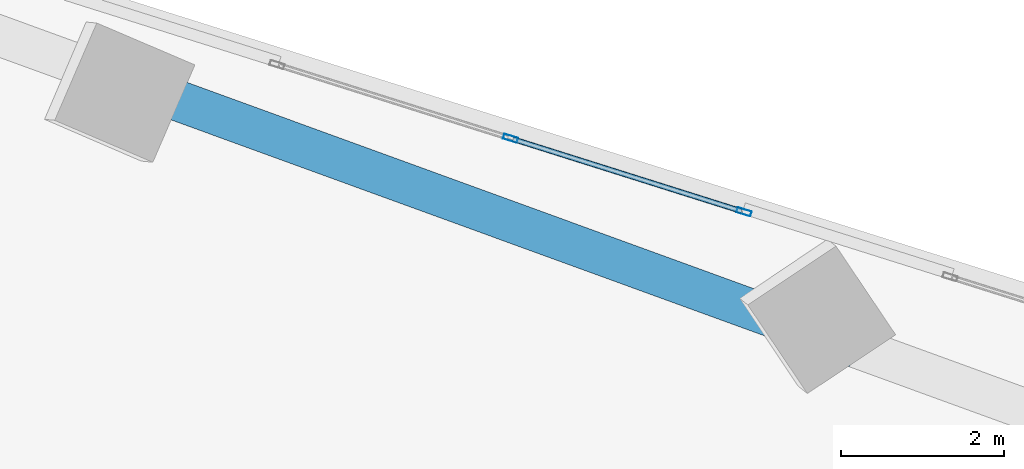
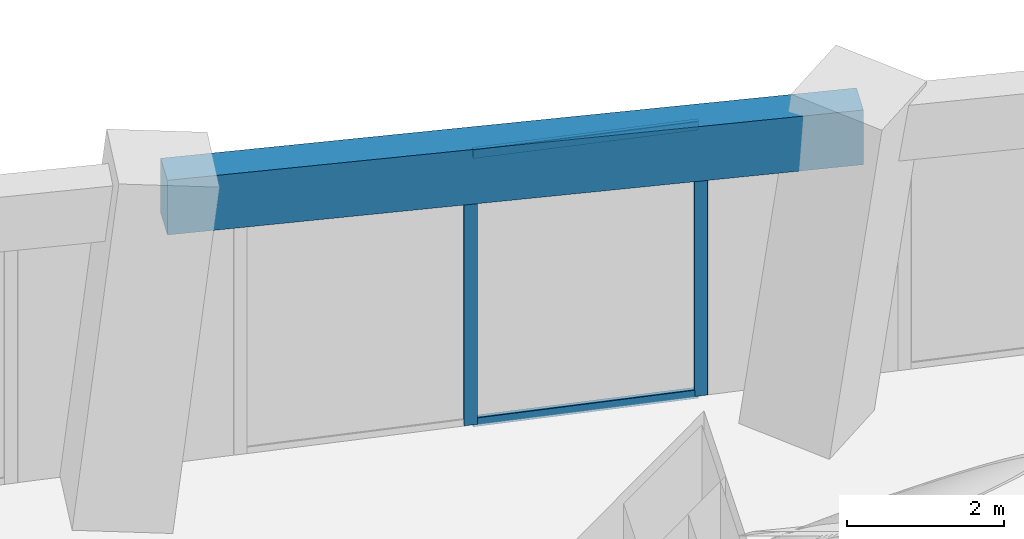
# One storey, part 16 of 29: 4 members, 1 beam, 1 element without a shape of its own.
"""IFC4 building model written with IfcOpenShell, lengths in metres."""

from ifc_helpers import new_model, si_unit, direction, frame, origin, origin_2d, place, context, subcontext, project, spatial, rectangle, hollow_rectangle, extrude, source, transform, mapped, material, material_profile, profile_set, type_object, element, aggregate, save


model = new_model("IFC4")

# Units and contexts
model_context = context("Model", 3, precision=1e-05, world=origin(), true_north=direction((0.0, 1.0)))
body_context = subcontext(model_context, "Body", "Model", "MODEL_VIEW")
ifc_project = project(units=[si_unit("LENGTHUNIT", "METRE"), si_unit("AREAUNIT", "SQUARE_METRE"), si_unit("VOLUMEUNIT", "CUBIC_METRE"), si_unit("PLANEANGLEUNIT", "RADIAN"), si_unit("MASSUNIT", "GRAM", prefix="KILO")], contexts=[model_context])

# Site, building, storey
site_placement = place(None, origin())
site = spatial("IfcSite", under=ifc_project, at=site_placement, CompositionType="ELEMENT")
building_placement = place(site_placement, origin())
building = spatial("IfcBuilding", under=site, at=building_placement, Name="Torre Montelarca", CompositionType="ELEMENT")
storey_placement = place(building_placement, frame((0.0, 0.0, 122.199951171875)))
storey = spatial("IfcBuildingStorey", under=building, at=storey_placement, Name="L27", CompositionType="ELEMENT", Elevation=122.199951171875)

# Beam
ifc_material_1 = material(Name="Concrete C55/67", Category="concrete")
ifc_material_profile_1 = material_profile(ifc_material_1, rectangle(XDim=0.5, YDim=0.85009765625, at=origin_2d()), Name="RCB500X850", Category="concrete")
ifc_profile_set_1 = profile_set([ifc_material_profile_1], Name="Concrete C55/67")
beam_type = type_object("IfcBeamType", Name="BM-SP-RC850-EXT", PredefinedType="SPANDREL", material=ifc_profile_set_1)
shared_shape_1 = source(origin(), body_context, "Body", "SweptSolid", [
    extrude(rectangle(XDim=0.5, YDim=0.85009765625, at=origin_2d()), origin(), (0.0, 0.0, 1.0), 9.0),
])
beam_placement = place(storey_placement, frame((23.392578125, 47.433349609375, 4.695068359375), z_axis=(0.939695174234, -0.342013127703, 0.0), x_axis=(0.342013127703, 0.939695174234, 0.0)))
element("IfcBeam", 1, at=beam_placement, inside=storey, type_object=beam_type, Name="L27 Grid Girder X 18.0-27.0 at Y=47.1", PredefinedType="SPANDREL", context=body_context, shape_type="MappedRepresentation", body=[
    mapped(shared_shape_1, transform((0.0, 0.0, 0.0), scale=1.0)),
])

# Curtain wall, members
ifc_material_2 = material(Name="Insulated low-E laminated glass", Category="glass")
curtain_wall_type = type_object("IfcCurtainWallType", Name="CW-SYS-Z1", PredefinedType="USERDEFINED", material=ifc_material_2)
curtain_wall_placement = place(storey_placement, origin())
curtain_wall = element("IfcCurtainWall", 2, at=curtain_wall_placement, inside=storey, type_object=curtain_wall_type, Name="L27 Curtain Wall Run CW-T3-L27-E08-B3", ObjectType="UNITISED GLAZING", PredefinedType="USERDEFINED")
ifc_material_3 = material(Name="Anodised aluminium AA 6063-T6", Category="aluminium")
ifc_material_profile_2 = material_profile(ifc_material_3, hollow_rectangle(XDim=0.06494140625, YDim=0.179931640625, WallThickness=0.00390625, InnerFilletRadius=0.00390625, OuterFilletRadius=0.008056640625, at=origin_2d()), Name="ALU65X180X4", Category="aluminium")
ifc_profile_set_2 = profile_set([ifc_material_profile_2], Name="Anodised aluminium AA 6063-T6")
member_type_1 = type_object("IfcMemberType", Name="CWM-ALU180", PredefinedType="MULLION", material=ifc_profile_set_2)
shared_shape_2 = source(origin(), body_context, "Body", "SweptSolid", [
    extrude(hollow_rectangle(XDim=0.06494140625, YDim=0.179931640625, WallThickness=0.00390625, InnerFilletRadius=0.00390625, OuterFilletRadius=0.008056640625, at=origin_2d()), origin(), (0.0, 0.0, 1.0), 4.235107421875),
])
member_1_placement = place(storey_placement, frame((30.468994140625, 46.02197265625, 0.0), z_axis=(0.0, 0.0, 1.0), x_axis=(-0.300716224564, -0.953713663677, 0.0)))
member_1 = element("IfcMember", 3, at=member_1_placement, type_object=member_type_1, Name="CW mullion 1", PredefinedType="MULLION", context=body_context, shape_type="MappedRepresentation", body=[
    mapped(shared_shape_2, transform((0.0, 0.0, 0.0), scale=1.0)),
])
member_2_placement = place(storey_placement, frame((27.602783203125, 46.925537109375, 0.0), z_axis=(0.0, 0.0, 1.0), x_axis=(-0.300716224564, -0.953713663677, 0.0)))
member_2 = element("IfcMember", 4, at=member_2_placement, type_object=member_type_1, Name="CW mullion 2", PredefinedType="MULLION", context=body_context, shape_type="MappedRepresentation", body=[
    mapped(shared_shape_2, transform((0.0, 0.0, 0.0), scale=1.0)),
])
ifc_material_profile_3 = material_profile(ifc_material_3, hollow_rectangle(XDim=0.06494140625, YDim=0.139892578125, WallThickness=0.00390625, InnerFilletRadius=0.00390625, OuterFilletRadius=0.008056640625, at=origin_2d()), Name="ALU65X140X4", Category="aluminium")
ifc_profile_set_3 = profile_set([ifc_material_profile_3], Name="Anodised aluminium AA 6063-T6")
member_type_2 = type_object("IfcMemberType", Name="CWT-ALU140", PredefinedType="USERDEFINED", material=ifc_profile_set_3)
shared_shape_3 = source(origin(), body_context, "Body", "SweptSolid", [
    extrude(hollow_rectangle(XDim=0.06494140625, YDim=0.139892578125, WallThickness=0.00390625, InnerFilletRadius=0.00390625, OuterFilletRadius=0.008056640625, at=origin_2d()), origin(), (0.0, 0.0, 1.0), 2.940185546875),
])
member_3_placement = place(storey_placement, frame((30.43798828125, 46.03173828125, 0.032470703125), z_axis=(-0.953729377779, 0.300666383157, 0.0), x_axis=(-0.300666383157, -0.953729377779, 0.0)))
member_3 = element("IfcMember", 5, at=member_3_placement, type_object=member_type_2, Name="CW transom 1.1", ObjectType="TRANSOM", PredefinedType="USERDEFINED", context=body_context, shape_type="MappedRepresentation", body=[
    mapped(shared_shape_3, transform((0.0, 0.0, 0.0), scale=1.0)),
])
member_4_placement = place(storey_placement, frame((30.43798828125, 46.03173828125, 4.20263671875), z_axis=(-0.953729377779, 0.300666383157, 0.0), x_axis=(-0.300666383157, -0.953729377779, 0.0)))
member_4 = element("IfcMember", 6, at=member_4_placement, type_object=member_type_2, Name="CW transom 1.2", ObjectType="TRANSOM", PredefinedType="USERDEFINED", context=body_context, shape_type="MappedRepresentation", body=[
    mapped(shared_shape_3, transform((0.0, 0.0, 0.0), scale=1.0)),
])
aggregate(curtain_wall, [member_1, member_2, member_3, member_4])

save(model, "model.ifc")
